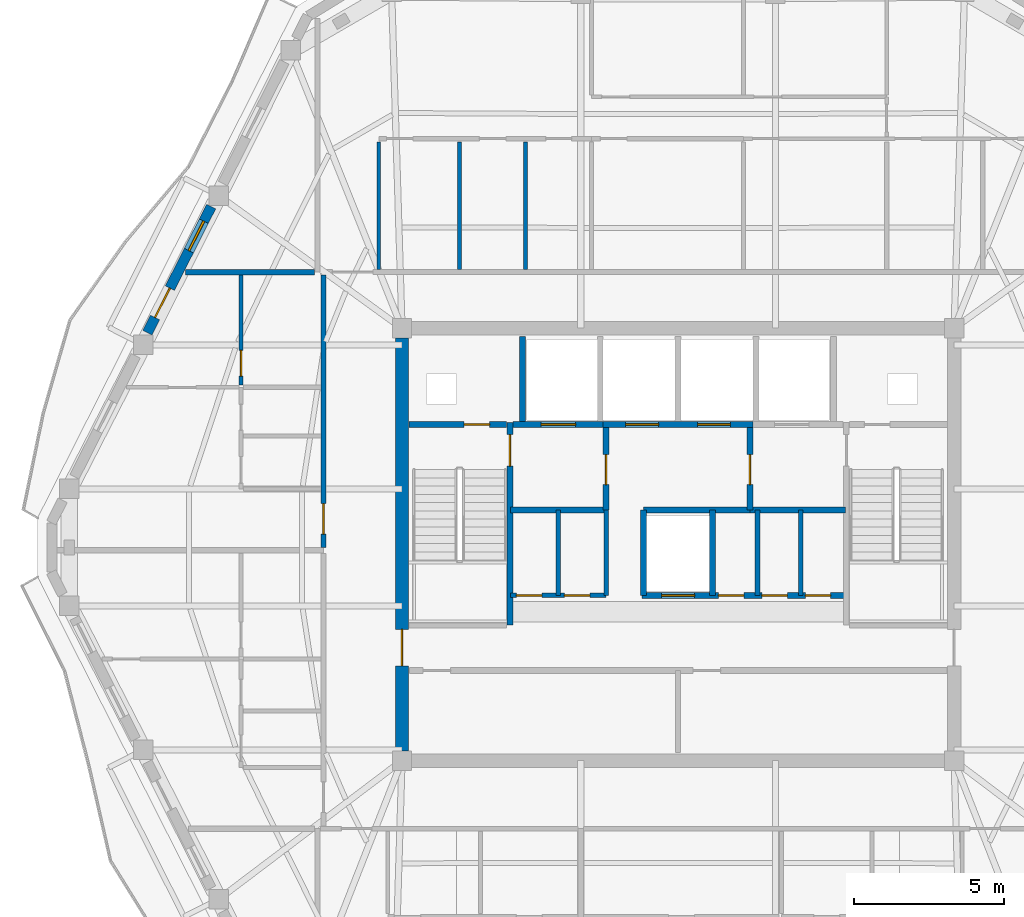
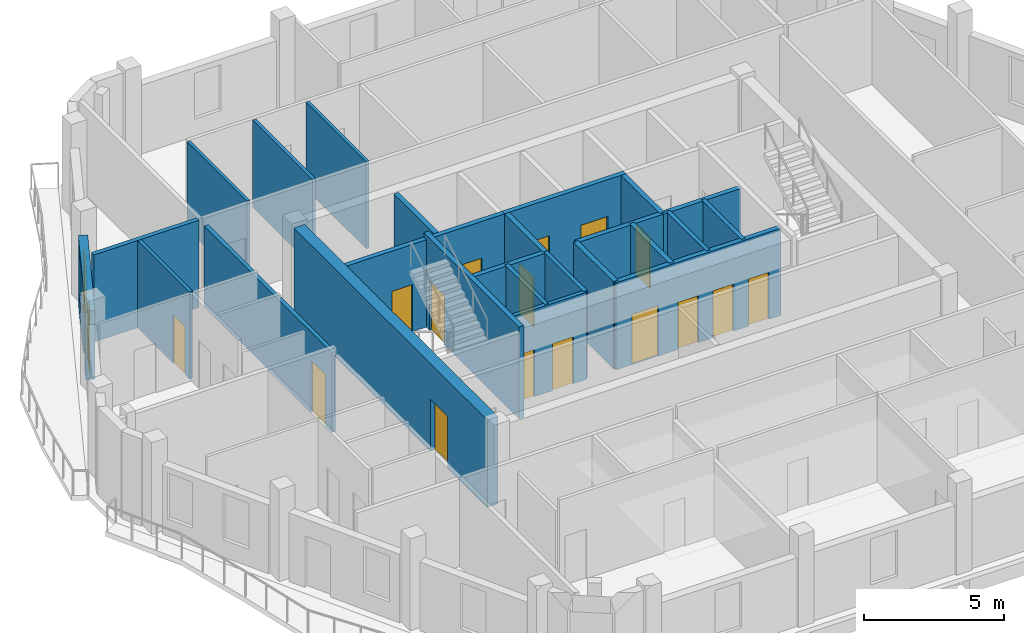
# One storey, part 5 of 11: 26 walls, 17 doors, 1 window, 18 openings.
"""IFC4 building model written with IfcOpenShell, lengths in metres."""

from ifc_helpers import new_model, si_unit, direction, frame, frame_2d, origin, place, context, subcontext, project, spatial, rectangle, extrude, material, layer, layer_set, type_object, element, fill, save


model = new_model("IFC4")

# Units and contexts
model_context = context("Model", 3, precision=1e-05, world=origin(), true_north=direction((0.0, 1.0)))
body_context = subcontext(model_context, "Body", "Model", "MODEL_VIEW")
ifc_project = project(units=[si_unit("LENGTHUNIT", "METRE"), si_unit("AREAUNIT", "SQUARE_METRE"), si_unit("VOLUMEUNIT", "CUBIC_METRE"), si_unit("PLANEANGLEUNIT", "RADIAN"), si_unit("MASSUNIT", "GRAM", prefix="KILO")], contexts=[model_context])

# Site, building, storey
site_placement = place(None, origin())
site = spatial("IfcSite", under=ifc_project, at=site_placement, CompositionType="ELEMENT")
building_placement = place(site_placement, origin())
building = spatial("IfcBuilding", under=site, at=building_placement, Name="Cinnabar Lancet Tower", CompositionType="ELEMENT")
storey_placement = place(building_placement, frame((0.0, 0.0, 283.5)))
storey = spatial("IfcBuildingStorey", under=building, at=storey_placement, Name="L75", CompositionType="ELEMENT", Elevation=283.5)

# Wall, openings, doors
ifc_material_1 = material(Name="Acoustic twin-stud gypsum partition", Category="gypsum")
ifc_layer_1 = layer(ifc_material_1, 0.159912109375)
ifc_layer_set_1 = layer_set([ifc_layer_1], Name="Acoustic twin-stud gypsum partition")
wall_type_1 = type_object("IfcWallType", Name="ARC-WL-CORR-160", PredefinedType="PARTITIONING", material=ifc_layer_set_1)
wall_1_placement = place(storey_placement, frame((26.800048828125, 24.199951171875, 0.0), z_axis=(0.0, 0.0, 1.0), x_axis=(1.0, 0.0, 0.0)))
wall_1 = element("IfcWall", 1, at=wall_1_placement, inside=storey, type_object=wall_type_1, Name="CW-REC5S-L75", PredefinedType="PARTITIONING", context=body_context, shape_type="SweptSolid", body=[
    extrude(rectangle(XDim=3.199951171875, YDim=0.159912109375, at=frame_2d((1.60009765625, 0.0))), origin(), (0.0, 0.0, 1.0), 3.800048828125),
])
opening_1_placement = place(wall_1_placement, frame((0.199951171875, 0.0, 0.0)))
opening_1 = element("IfcOpeningElement", 2, at=opening_1_placement, cuts=wall_1, Name="Opening PD-02", PredefinedType="OPENING", context=body_context, shape_type="SweptSolid", body=[
    extrude(rectangle(XDim=0.85009765625, YDim=2.050048828125, at=frame_2d((0.425048828125, 1.02490234375))), frame((0.0, 0.08984375, 0.0), z_axis=(0.0, -1.0, 0.0), x_axis=(1.0, 0.0, 0.0)), (0.0, 0.0, 1.0), 0.179931640625),
])
opening_2_placement = place(wall_1_placement, frame((1.800048828125, 0.0, 0.0)))
opening_2 = element("IfcOpeningElement", 3, at=opening_2_placement, cuts=wall_1, Name="Opening PD-02", PredefinedType="OPENING", context=body_context, shape_type="SweptSolid", body=[
    extrude(rectangle(XDim=0.85009765625, YDim=2.050048828125, at=frame_2d((0.425048828125, 1.02490234375))), frame((0.0, 0.08984375, 0.0), z_axis=(0.0, -1.0, 0.0), x_axis=(1.0, 0.0, 0.0)), (0.0, 0.0, 1.0), 0.179931640625),
])
ifc_material_2 = material(Name="Fire-rated steel riser access door", Category="steel")
door_type_1 = type_object("IfcDoorType", Name="ARC-DR-RISER", OperationType="NOTDEFINED", PredefinedType="DOOR", material=ifc_material_2)
door_1_placement = place(opening_1_placement, origin())
door_1 = element("IfcDoor", 4, at=door_1_placement, inside=storey, type_object=door_type_1, Name="DR-L75-REC5A", OperationType="SINGLE_SWING_LEFT", OverallHeight=2.050048828125, OverallWidth=0.85009765625, PredefinedType="DOOR", context=body_context, shape_type="SweptSolid", body=[
    extrude(rectangle(XDim=0.85009765625, YDim=2.050048828125, at=frame_2d((0.425048828125, 1.02490234375))), frame((0.0, 0.02490234375, 0.0), z_axis=(0.0, -1.0, 0.0), x_axis=(1.0, 0.0, 0.0)), (0.0, 0.0, 1.0), 0.050048828125),
])
fill(opening_1, door_1)
door_2_placement = place(opening_2_placement, origin())
door_2 = element("IfcDoor", 5, at=door_2_placement, inside=storey, type_object=door_type_1, Name="DR-L75-REC5B", OperationType="SINGLE_SWING_RIGHT", OverallHeight=2.050048828125, OverallWidth=0.85009765625, PredefinedType="DOOR", context=body_context, shape_type="SweptSolid", body=[
    extrude(rectangle(XDim=0.85009765625, YDim=2.050048828125, at=frame_2d((0.425048828125, 1.02490234375))), frame((0.0, 0.02490234375, 0.0), z_axis=(0.0, -1.0, 0.0), x_axis=(1.0, 0.0, 0.0)), (0.0, 0.0, 1.0), 0.050048828125),
])
fill(opening_2, door_2)

# Walls
for number, where, z_axis, x_axis, name in (
    (6, (30.0, 24.199951171875, 0.0), (0.0, 0.0, 1.0), (0.0, 1.0, 0.0), "CW-REC5E-L75"),
    (7, (28.39990234375, 24.199951171875, 0.0), (0.0, 0.0, 1.0), (0.0, 1.0, 0.0), "CW-REC5D0-L75"),
    (8, (35.050048828125, 24.199951171875, 0.0), (0.0, 0.0, 1.0), (0.0, 1.0, 0.0), "CW-REC6D1-L75"),
    (9, (36.5, 24.199951171875, 0.0), (0.0, 0.0, 1.0), (0.0, 1.0, 0.0), "CW-REC6D2-L75"),
):
    element("IfcWall", number, at=place(storey_placement, frame(where, z_axis=z_axis, x_axis=x_axis)), inside=storey, type_object=wall_type_1, Name=name, PredefinedType="PARTITIONING", context=body_context, shape_type="SweptSolid", body=[
        extrude(rectangle(XDim=2.85009765625, YDim=0.159912109375, at=frame_2d((1.425048828125, 0.0))), origin(), (0.0, 0.0, 1.0), 3.800048828125),
    ])

# Wall, opening, door
wall_2_placement = place(storey_placement, frame((20.550048828125, 25.794921875, 0.0), z_axis=(0.0, 0.0, 1.0), x_axis=(0.0, 1.0, 0.0)))
wall_2 = element("IfcWall", 10, at=wall_2_placement, inside=storey, type_object=wall_type_1, Name="UW-L75-W02-COR", PredefinedType="PARTITIONING", context=body_context, shape_type="SweptSolid", body=[
    extrude(rectangle(XDim=9.110107421875, YDim=0.159912109375, at=frame_2d((4.55517578125, 0.0))), origin(), (0.0, 0.0, 1.0), 3.487060546875),
])
opening_3_placement = place(wall_2_placement, frame((0.449951171875, 0.0, 0.0)))
opening_3 = element("IfcOpeningElement", 11, at=opening_3_placement, cuts=wall_2, Name="Opening UD-01", PredefinedType="OPENING", context=body_context, shape_type="SweptSolid", body=[
    extrude(rectangle(XDim=1.02001953125, YDim=2.25, at=frame_2d((0.510009765625, 1.125))), frame((0.0, 0.08984375, 0.0), z_axis=(0.0, -1.0, 0.0), x_axis=(1.0, 0.0, 0.0)), (0.0, 0.0, 1.0), 0.179931640625),
])
ifc_material_3 = material(Name="Solid timber fire-rated apartment entrance door", Category="wood")
door_type_2 = type_object("IfcDoorType", Name="ARC-DR-UNIT", OperationType="NOTDEFINED", PredefinedType="DOOR", material=ifc_material_3)
door_3_placement = place(opening_3_placement, origin())
door_3 = element("IfcDoor", 12, at=door_3_placement, inside=storey, type_object=door_type_2, Name="DR-L75-W02-ENT", OperationType="SINGLE_SWING_RIGHT", OverallHeight=2.25, OverallWidth=1.02001953125, PredefinedType="DOOR", context=body_context, shape_type="SweptSolid", body=[
    extrude(rectangle(XDim=1.02001953125, YDim=2.25, at=frame_2d((0.510009765625, 1.125))), frame((0.0, 0.02490234375, 0.0), z_axis=(0.0, -1.0, 0.0), x_axis=(1.0, 0.0, 0.0)), (0.0, 0.0, 1.0), 0.050048828125),
])
fill(opening_3, door_3)

# Wall
ifc_material_4 = material(Name="Fire-rated twin-frame acoustic drywall", Category="gypsum")
ifc_layer_2 = layer(ifc_material_4, 0.179931640625)
ifc_layer_set_2 = layer_set([ifc_layer_2], Name="Fire-rated twin-frame acoustic drywall")
wall_type_2 = type_object("IfcWallType", Name="ARC-WL-PARTY-180", PredefinedType="PARTITIONING", material=ifc_layer_set_2)
wall_3_placement = place(storey_placement, frame((15.93310546875, 35.0, 0.0), z_axis=(0.0, 0.0, 1.0), x_axis=(1.0, 0.0, 0.0)))
element("IfcWall", 13, at=wall_3_placement, inside=storey, type_object=wall_type_2, Name="PW-L75-WNB", PredefinedType="PARTITIONING", context=body_context, shape_type="SweptSolid", body=[
    extrude(rectangle(XDim=4.32177734375, YDim=0.179931640625, at=frame_2d((2.160888671875, 0.0))), origin(), (0.0, 0.0, 1.0), 3.800048828125),
])

# Wall, opening, door
ifc_material_5 = material(Name="Autoclaved aerated concrete blockwork", Category="masonry")
ifc_layer_3 = layer(ifc_material_5, 0.199951171875)
ifc_layer_set_3 = layer_set([ifc_layer_3], Name="Autoclaved aerated concrete blockwork")
wall_type_3 = type_object("IfcWallType", Name="ARC-WL-SHAFT-200", PredefinedType="PLUMBINGWALL", material=ifc_layer_set_3)
wall_4_placement = place(storey_placement, frame((23.405029296875, 29.89990234375, 0.0), z_axis=(0.0, 0.0, 1.0), x_axis=(1.0, 0.0, 0.0)))
wall_4 = element("IfcWall", 14, at=wall_4_placement, inside=storey, type_object=wall_type_3, Name="CW-NSH-W-L75", PredefinedType="PLUMBINGWALL", context=body_context, shape_type="SweptSolid", body=[
    extrude(rectangle(XDim=3.27001953125, YDim=0.199951171875, at=frame_2d((1.635009765625, 0.0))), origin(), (0.0, 0.0, 1.0), 3.800048828125),
])
opening_4_placement = place(wall_4_placement, frame((1.85009765625, 0.0, 0.0)))
opening_4 = element("IfcOpeningElement", 15, at=opening_4_placement, cuts=wall_4, Name="Opening PD-02", PredefinedType="OPENING", context=body_context, shape_type="SweptSolid", body=[
    extrude(rectangle(XDim=0.85009765625, YDim=2.050048828125, at=frame_2d((0.425048828125, 1.02490234375))), frame((0.0, 0.10986328125, 0.0), z_axis=(0.0, -1.0, 0.0), x_axis=(1.0, 0.0, 0.0)), (0.0, 0.0, 1.0), 0.219970703125),
])
door_4_placement = place(opening_4_placement, origin())
door_4 = element("IfcDoor", 16, at=door_4_placement, inside=storey, type_object=door_type_1, Name="L75 West Riser Access Door", OperationType="SINGLE_SWING_LEFT", OverallHeight=2.050048828125, OverallWidth=0.85009765625, PredefinedType="DOOR", context=body_context, shape_type="SweptSolid", body=[
    extrude(rectangle(XDim=0.85009765625, YDim=2.050048828125, at=frame_2d((0.425048828125, 1.02490234375))), frame((0.0, 0.02490234375, 0.0), z_axis=(0.0, -1.0, 0.0), x_axis=(1.0, 0.0, 0.0)), (0.0, 0.0, 1.0), 0.050048828125),
])
fill(opening_4, door_4)

wall_5_placement = place(storey_placement, frame((26.885009765625, 29.89990234375, 0.0), z_axis=(0.0, 0.0, 1.0), x_axis=(1.0, 0.0, 0.0)))
wall_5 = element("IfcWall", 17, at=wall_5_placement, inside=storey, type_object=wall_type_3, Name="CW-FL1-L75", PredefinedType="PLUMBINGWALL", context=body_context, shape_type="SweptSolid", body=[
    extrude(rectangle(XDim=3.014892578125, YDim=0.199951171875, at=frame_2d((1.50732421875, 0.0))), origin(), (0.0, 0.0, 1.0), 3.800048828125),
])
opening_5_placement = place(wall_5_placement, frame((0.93994140625, 0.0, 0.0)))
opening_5 = element("IfcOpeningElement", 18, at=opening_5_placement, cuts=wall_5, Name="Opening LD-02", PredefinedType="OPENING", context=body_context, shape_type="SweptSolid", body=[
    extrude(rectangle(XDim=1.14990234375, YDim=2.199951171875, at=frame_2d((0.574951171875, 1.10009765625))), frame((0.0, 0.10986328125, 0.0), z_axis=(0.0, -1.0, 0.0), x_axis=(1.0, 0.0, 0.0)), (0.0, 0.0, 1.0), 0.219970703125),
])
ifc_material_6 = material(Name="Fire-rated stainless steel firefighting lift landing door", Category="steel")
door_type_3 = type_object("IfcDoorType", Name="ARC-DR-LD-FIRE", OperationType="NOTDEFINED", PredefinedType="DOOR", material=ifc_material_6)
door_5_placement = place(opening_5_placement, origin())
door_5 = element("IfcDoor", 19, at=door_5_placement, inside=storey, type_object=door_type_3, Name="L75 Firefighting Lift FL-1 Landing Door", OperationType="DOUBLE_DOOR_SLIDING", OverallHeight=2.199951171875, OverallWidth=1.14990234375, PredefinedType="DOOR", context=body_context, shape_type="SweptSolid", body=[
    extrude(rectangle(XDim=1.14990234375, YDim=2.199951171875, at=frame_2d((0.574951171875, 1.10009765625))), frame((0.0, 0.02490234375, 0.0), z_axis=(0.0, -1.0, 0.0), x_axis=(1.0, 0.0, 0.0)), (0.0, 0.0, 1.0), 0.050048828125),
])
fill(opening_5, door_5)

# Wall, openings, doors
wall_6_placement = place(storey_placement, frame((29.89990234375, 29.89990234375, 0.0), z_axis=(0.0, 0.0, 1.0), x_axis=(1.0, 0.0, 0.0)))
wall_6 = element("IfcWall", 20, at=wall_6_placement, inside=storey, type_object=wall_type_3, Name="CW-PL78-L75", PredefinedType="PLUMBINGWALL", context=body_context, shape_type="SweptSolid", body=[
    extrude(rectangle(XDim=5.0, YDim=0.199951171875, at=frame_2d((2.5, 0.0))), origin(), (0.0, 0.0, 1.0), 3.800048828125),
])
opening_6_placement = place(wall_6_placement, frame((0.75, 0.0, 0.0)))
opening_6 = element("IfcOpeningElement", 21, at=opening_6_placement, cuts=wall_6, Name="Opening LD-01", PredefinedType="OPENING", context=body_context, shape_type="SweptSolid", body=[
    extrude(rectangle(XDim=1.10009765625, YDim=2.199951171875, at=frame_2d((0.550048828125, 1.10009765625))), frame((0.0, 0.10986328125, 0.0), z_axis=(0.0, -1.0, 0.0), x_axis=(1.0, 0.0, 0.0)), (0.0, 0.0, 1.0), 0.219970703125),
])
opening_7_placement = place(wall_6_placement, frame((3.14990234375, 0.0, 0.0)))
opening_7 = element("IfcOpeningElement", 22, at=opening_7_placement, cuts=wall_6, Name="Opening LD-01", PredefinedType="OPENING", context=body_context, shape_type="SweptSolid", body=[
    extrude(rectangle(XDim=1.10009765625, YDim=2.199951171875, at=frame_2d((0.550048828125, 1.10009765625))), frame((0.0, 0.10986328125, 0.0), z_axis=(0.0, -1.0, 0.0), x_axis=(1.0, 0.0, 0.0)), (0.0, 0.0, 1.0), 0.219970703125),
])
ifc_material_7 = material(Name="Brushed stainless steel sliding lift door", Category="steel")
door_type_4 = type_object("IfcDoorType", Name="ARC-DR-LD-PASS", OperationType="NOTDEFINED", PredefinedType="DOOR", material=ifc_material_7)
door_6_placement = place(opening_6_placement, origin())
door_6 = element("IfcDoor", 23, at=door_6_placement, inside=storey, type_object=door_type_4, Name="L75 Lift PL-7 Landing Door", OperationType="DOUBLE_DOOR_SLIDING", OverallHeight=2.199951171875, OverallWidth=1.10009765625, PredefinedType="DOOR", context=body_context, shape_type="SweptSolid", body=[
    extrude(rectangle(XDim=1.10009765625, YDim=2.199951171875, at=frame_2d((0.550048828125, 1.10009765625))), frame((0.0, 0.02490234375, 0.0), z_axis=(0.0, -1.0, 0.0), x_axis=(1.0, 0.0, 0.0)), (0.0, 0.0, 1.0), 0.050048828125),
])
fill(opening_6, door_6)
door_7_placement = place(opening_7_placement, origin())
door_7 = element("IfcDoor", 24, at=door_7_placement, inside=storey, type_object=door_type_4, Name="L75 Lift PL-8 Landing Door", OperationType="DOUBLE_DOOR_SLIDING", OverallHeight=2.199951171875, OverallWidth=1.10009765625, PredefinedType="DOOR", context=body_context, shape_type="SweptSolid", body=[
    extrude(rectangle(XDim=1.10009765625, YDim=2.199951171875, at=frame_2d((0.550048828125, 1.10009765625))), frame((0.0, 0.02490234375, 0.0), z_axis=(0.0, -1.0, 0.0), x_axis=(1.0, 0.0, 0.0)), (0.0, 0.0, 1.0), 0.050048828125),
])
fill(opening_7, door_7)

# Wall
wall_7_placement = place(storey_placement, frame((27.199951171875, 30.0, 0.0), z_axis=(0.0, 0.0, 1.0), x_axis=(0.0, 1.0, 0.0)))
element("IfcWall", 25, at=wall_7_placement, inside=storey, type_object=wall_type_3, Name="CW-NSH-D1-L75", PredefinedType="PLUMBINGWALL", context=body_context, shape_type="SweptSolid", body=[
    extrude(rectangle(XDim=2.85009765625, YDim=0.199951171875, at=frame_2d((1.425048828125, 0.0))), origin(), (0.0, 0.0, 1.0), 3.800048828125),
])

# Wall, opening, door
wall_8_placement = place(storey_placement, frame((30.0, 27.050048828125, 0.0), z_axis=(0.0, 0.0, 1.0), x_axis=(0.0, 1.0, 0.0)))
wall_8 = element("IfcWall", 26, at=wall_8_placement, inside=storey, type_object=wall_type_3, Name="CW-FF1E-L75", PredefinedType="PLUMBINGWALL", context=body_context, shape_type="SweptSolid", body=[
    extrude(rectangle(XDim=2.75, YDim=0.199951171875, at=frame_2d((1.375, 0.0))), origin(), (0.0, 0.0, 1.0), 3.800048828125),
])
opening_8_placement = place(wall_8_placement, frame((0.85009765625, 0.0, 0.0)))
opening_8 = element("IfcOpeningElement", 27, at=opening_8_placement, cuts=wall_8, Name="Opening FD-01", PredefinedType="OPENING", context=body_context, shape_type="SweptSolid", body=[
    extrude(rectangle(XDim=1.0, YDim=2.14990234375, at=frame_2d((0.5, 1.074951171875))), frame((0.0, 0.10986328125, 0.0), z_axis=(0.0, -1.0, 0.0), x_axis=(1.0, 0.0, 0.0)), (0.0, 0.0, 1.0), 0.219970703125),
])
ifc_material_8 = material(Name="Fire-rated timber-core lobby door", Category="wood")
door_type_5 = type_object("IfcDoorType", Name="ARC-DR-FFAL", OperationType="NOTDEFINED", PredefinedType="DOOR", material=ifc_material_8)
door_8_placement = place(opening_8_placement, origin())
door_8 = element("IfcDoor", 28, at=door_8_placement, inside=storey, type_object=door_type_5, Name="L75 FFAL-1 Lobby Fire Door", OperationType="SINGLE_SWING_RIGHT", OverallHeight=2.14990234375, OverallWidth=1.0, PredefinedType="DOOR", context=body_context, shape_type="SweptSolid", body=[
    extrude(rectangle(XDim=1.0, YDim=2.14990234375, at=frame_2d((0.5, 1.074951171875))), frame((0.0, 0.02490234375, 0.0), z_axis=(0.0, -1.0, 0.0), x_axis=(1.0, 0.0, 0.0)), (0.0, 0.0, 1.0), 0.050048828125),
])
fill(opening_8, door_8)

# Wall
wall_9_placement = place(storey_placement, frame((26.800048828125, 27.050048828125, 0.0), z_axis=(0.0, 0.0, 1.0), x_axis=(1.0, 0.0, 0.0)))
element("IfcWall", 29, at=wall_9_placement, inside=storey, type_object=wall_type_3, Name="CW-FF1S-L75", PredefinedType="PLUMBINGWALL", context=body_context, shape_type="SweptSolid", body=[
    extrude(rectangle(XDim=3.199951171875, YDim=0.199951171875, at=frame_2d((1.60009765625, 0.0))), origin(), (0.0, 0.0, 1.0), 3.800048828125),
])

# Wall, opening, door
wall_10_placement = place(storey_placement, frame((34.800048828125, 27.050048828125, 0.0), z_axis=(0.0, 0.0, 1.0), x_axis=(0.0, 1.0, 0.0)))
wall_10 = element("IfcWall", 30, at=wall_10_placement, inside=storey, type_object=wall_type_3, Name="CW-FF2W-L75", PredefinedType="PLUMBINGWALL", context=body_context, shape_type="SweptSolid", body=[
    extrude(rectangle(XDim=2.75, YDim=0.199951171875, at=frame_2d((1.375, 0.0))), origin(), (0.0, 0.0, 1.0), 3.800048828125),
])
opening_9_placement = place(wall_10_placement, frame((0.85009765625, 0.0, 0.0)))
opening_9 = element("IfcOpeningElement", 31, at=opening_9_placement, cuts=wall_10, Name="Opening FD-01", PredefinedType="OPENING", context=body_context, shape_type="SweptSolid", body=[
    extrude(rectangle(XDim=1.0, YDim=2.14990234375, at=frame_2d((0.5, 1.074951171875))), frame((0.0, 0.10986328125, 0.0), z_axis=(0.0, -1.0, 0.0), x_axis=(1.0, 0.0, 0.0)), (0.0, 0.0, 1.0), 0.219970703125),
])
door_9_placement = place(opening_9_placement, origin())
door_9 = element("IfcDoor", 32, at=door_9_placement, inside=storey, type_object=door_type_5, Name="L75 FFAL-2 Lobby Fire Door", OperationType="SINGLE_SWING_LEFT", OverallHeight=2.14990234375, OverallWidth=1.0, PredefinedType="DOOR", context=body_context, shape_type="SweptSolid", body=[
    extrude(rectangle(XDim=1.0, YDim=2.14990234375, at=frame_2d((0.5, 1.074951171875))), frame((0.0, 0.02490234375, 0.0), z_axis=(0.0, -1.0, 0.0), x_axis=(1.0, 0.0, 0.0)), (0.0, 0.0, 1.0), 0.050048828125),
])
fill(opening_9, door_9)

# Wall
wall_11_placement = place(storey_placement, frame((34.800048828125, 27.050048828125, 0.0), z_axis=(0.0, 0.0, 1.0), x_axis=(1.0, 0.0, 0.0)))
element("IfcWall", 33, at=wall_11_placement, inside=storey, type_object=wall_type_3, Name="CW-FF2S-L75", PredefinedType="PLUMBINGWALL", context=body_context, shape_type="SweptSolid", body=[
    extrude(rectangle(XDim=3.199951171875, YDim=0.199951171875, at=frame_2d((1.60009765625, 0.0))), origin(), (0.0, 0.0, 1.0), 3.800048828125),
])

# Wall, openings, doors
wall_12_placement = place(storey_placement, frame((31.199951171875, 24.199951171875, 0.0), z_axis=(0.0, 0.0, 1.0), x_axis=(1.0, 0.0, 0.0)))
wall_12 = element("IfcWall", 34, at=wall_12_placement, inside=storey, type_object=wall_type_3, Name="CW-PL96S-L75", PredefinedType="PLUMBINGWALL", context=body_context, shape_type="SweptSolid", body=[
    extrude(rectangle(XDim=6.800048828125, YDim=0.199951171875, at=frame_2d((3.39990234375, 0.0))), origin(), (0.0, 0.0, 1.0), 3.800048828125),
])
opening_10_placement = place(wall_12_placement, frame((0.64990234375, 0.0, 0.0)))
opening_10 = element("IfcOpeningElement", 35, at=opening_10_placement, cuts=wall_12, Name="Opening LD-01", PredefinedType="OPENING", context=body_context, shape_type="SweptSolid", body=[
    extrude(rectangle(XDim=1.10009765625, YDim=2.199951171875, at=frame_2d((0.550048828125, 1.10009765625))), frame((0.0, 0.10986328125, 0.0), z_axis=(0.0, -1.0, 0.0), x_axis=(1.0, 0.0, 0.0)), (0.0, 0.0, 1.0), 0.219970703125),
])
opening_11_placement = place(wall_12_placement, frame((2.550048828125, 0.0, 0.0)))
opening_11 = element("IfcOpeningElement", 36, at=opening_11_placement, cuts=wall_12, Name="Opening PD-02", PredefinedType="OPENING", context=body_context, shape_type="SweptSolid", body=[
    extrude(rectangle(XDim=0.85009765625, YDim=2.050048828125, at=frame_2d((0.425048828125, 1.02490234375))), frame((0.0, 0.10986328125, 0.0), z_axis=(0.0, -1.0, 0.0), x_axis=(1.0, 0.0, 0.0)), (0.0, 0.0, 1.0), 0.219970703125),
])
opening_12_placement = place(wall_12_placement, frame((4.0, 0.0, 0.0)))
opening_12 = element("IfcOpeningElement", 37, at=opening_12_placement, cuts=wall_12, Name="Opening PD-02", PredefinedType="OPENING", context=body_context, shape_type="SweptSolid", body=[
    extrude(rectangle(XDim=0.85009765625, YDim=2.050048828125, at=frame_2d((0.425048828125, 1.02490234375))), frame((0.0, 0.10986328125, 0.0), z_axis=(0.0, -1.0, 0.0), x_axis=(1.0, 0.0, 0.0)), (0.0, 0.0, 1.0), 0.219970703125),
])
opening_13_placement = place(wall_12_placement, frame((5.449951171875, 0.0, 0.0)))
opening_13 = element("IfcOpeningElement", 38, at=opening_13_placement, cuts=wall_12, Name="Opening PD-02", PredefinedType="OPENING", context=body_context, shape_type="SweptSolid", body=[
    extrude(rectangle(XDim=0.85009765625, YDim=2.050048828125, at=frame_2d((0.425048828125, 1.02490234375))), frame((0.0, 0.10986328125, 0.0), z_axis=(0.0, -1.0, 0.0), x_axis=(1.0, 0.0, 0.0)), (0.0, 0.0, 1.0), 0.219970703125),
])
door_10_placement = place(opening_10_placement, origin())
door_10 = element("IfcDoor", 39, at=door_10_placement, inside=storey, type_object=door_type_4, Name="L75 Lift PL-9 Landing Door", OperationType="DOUBLE_DOOR_SLIDING", OverallHeight=2.199951171875, OverallWidth=1.10009765625, PredefinedType="DOOR", context=body_context, shape_type="SweptSolid", body=[
    extrude(rectangle(XDim=1.10009765625, YDim=2.199951171875, at=frame_2d((0.550048828125, 1.10009765625))), frame((0.0, 0.02490234375, 0.0), z_axis=(0.0, -1.0, 0.0), x_axis=(1.0, 0.0, 0.0)), (0.0, 0.0, 1.0), 0.050048828125),
])
fill(opening_10, door_10)
door_11_placement = place(opening_11_placement, origin())
door_11 = element("IfcDoor", 40, at=door_11_placement, inside=storey, type_object=door_type_1, Name="DR-L75-REC6A", OperationType="SINGLE_SWING_LEFT", OverallHeight=2.050048828125, OverallWidth=0.85009765625, PredefinedType="DOOR", context=body_context, shape_type="SweptSolid", body=[
    extrude(rectangle(XDim=0.85009765625, YDim=2.050048828125, at=frame_2d((0.425048828125, 1.02490234375))), frame((0.0, 0.02490234375, 0.0), z_axis=(0.0, -1.0, 0.0), x_axis=(1.0, 0.0, 0.0)), (0.0, 0.0, 1.0), 0.050048828125),
])
fill(opening_11, door_11)
door_12_placement = place(opening_12_placement, origin())
door_12 = element("IfcDoor", 41, at=door_12_placement, inside=storey, type_object=door_type_1, Name="DR-L75-REC6B", OperationType="SINGLE_SWING_RIGHT", OverallHeight=2.050048828125, OverallWidth=0.85009765625, PredefinedType="DOOR", context=body_context, shape_type="SweptSolid", body=[
    extrude(rectangle(XDim=0.85009765625, YDim=2.050048828125, at=frame_2d((0.425048828125, 1.02490234375))), frame((0.0, 0.02490234375, 0.0), z_axis=(0.0, -1.0, 0.0), x_axis=(1.0, 0.0, 0.0)), (0.0, 0.0, 1.0), 0.050048828125),
])
fill(opening_12, door_12)
door_13_placement = place(opening_13_placement, origin())
door_13 = element("IfcDoor", 42, at=door_13_placement, inside=storey, type_object=door_type_1, Name="DR-L75-REC6C", OperationType="SINGLE_SWING_LEFT", OverallHeight=2.050048828125, OverallWidth=0.85009765625, PredefinedType="DOOR", context=body_context, shape_type="SweptSolid", body=[
    extrude(rectangle(XDim=0.85009765625, YDim=2.050048828125, at=frame_2d((0.425048828125, 1.02490234375))), frame((0.0, 0.02490234375, 0.0), z_axis=(0.0, -1.0, 0.0), x_axis=(1.0, 0.0, 0.0)), (0.0, 0.0, 1.0), 0.050048828125),
])
fill(opening_13, door_13)

# Walls
for number, where, z_axis, x_axis, name in (
    (43, (31.25, 24.199951171875, 0.0), (0.0, 0.0, 1.0), (0.0, 1.0, 0.0), "CW-PL9W-L75"),
    (44, (33.550048828125, 24.199951171875, 0.0), (0.0, 0.0, 1.0), (0.0, 1.0, 0.0), "CW-PL9E-L75"),
):
    element("IfcWall", number, at=place(storey_placement, frame(where, z_axis=z_axis, x_axis=x_axis)), inside=storey, type_object=wall_type_3, Name=name, PredefinedType="PLUMBINGWALL", context=body_context, shape_type="SweptSolid", body=[
        extrude(rectangle(XDim=2.85009765625, YDim=0.199951171875, at=frame_2d((1.425048828125, 0.0))), origin(), (0.0, 0.0, 1.0), 3.800048828125),
    ])
wall_13_placement = place(storey_placement, frame((31.25, 27.050048828125, 0.0), z_axis=(0.0, 0.0, 1.0), x_axis=(1.0, 0.0, 0.0)))
element("IfcWall", 45, at=wall_13_placement, inside=storey, type_object=wall_type_3, Name="CW-PL96N-L75", PredefinedType="PLUMBINGWALL", context=body_context, shape_type="SweptSolid", body=[
    extrude(rectangle(XDim=3.550048828125, YDim=0.199951171875, at=frame_2d((1.77490234375, 0.0))), origin(), (0.0, 0.0, 1.0), 3.800048828125),
])
ifc_material_9 = material(Name="Gypsum plasterboard stud partition", Category="gypsum")
ifc_layer_4 = layer(ifc_material_9, 0.125)
ifc_layer_set_4 = layer_set([ifc_layer_4], Name="Gypsum plasterboard stud partition")
wall_type_4 = type_object("IfcWallType", Name="ARC-WL-UNIT-125", PredefinedType="PARTITIONING", material=ifc_layer_set_4)
for number, where, z_axis, x_axis, name in (
    (46, (22.39990234375, 35.0849609375, 0.0), (0.0, 0.0, 1.0), (0.0, 1.0, 0.0), "UW-L75-N01-FOYE"),
    (47, (27.304931640625, 35.0849609375, 0.0), (0.0, 0.0, 1.0), (0.0, 1.0, 0.0), "UW-L75-N01-STD"),
):
    element("IfcWall", number, at=place(storey_placement, frame(where, z_axis=z_axis, x_axis=x_axis)), inside=storey, type_object=wall_type_4, Name=name, PredefinedType="PARTITIONING", context=body_context, shape_type="SweptSolid", body=[
        extrude(rectangle(XDim=4.26806640625, YDim=0.125, at=frame_2d((2.134033203125, 0.0))), origin(), (0.0, 0.0, 1.0), 3.800048828125),
    ])
ifc_material_10 = material(Name="Moisture-resistant cement-board plumbing wall", Category="masonry")
ifc_layer_5 = layer(ifc_material_10, 0.139892578125)
ifc_layer_set_5 = layer_set([ifc_layer_5], Name="Moisture-resistant cement-board plumbing wall")
wall_type_5 = type_object("IfcWallType", Name="ARC-WL-WET-140", PredefinedType="PLUMBINGWALL", material=ifc_layer_set_5)
wall_14_placement = place(storey_placement, frame((25.10107421875, 35.0849609375, 0.0), z_axis=(0.0, 0.0, 1.0), x_axis=(0.0, 1.0, 0.0)))
element("IfcWall", 48, at=wall_14_placement, inside=storey, type_object=wall_type_5, Name="UW-L75-N01-KDV", PredefinedType="PLUMBINGWALL", context=body_context, shape_type="SweptSolid", body=[
    extrude(rectangle(XDim=4.26806640625, YDim=0.139892578125, at=frame_2d((2.134033203125, 0.0))), origin(), (0.0, 0.0, 1.0), 3.800048828125),
])

# Wall, opening, door
wall_15_placement = place(storey_placement, frame((17.800048828125, 31.219970703125, 0.0), z_axis=(0.0, 0.0, 1.0), x_axis=(0.0, 1.0, 0.0)))
wall_15 = element("IfcWall", 49, at=wall_15_placement, inside=storey, type_object=wall_type_5, Name="UW-L75-W02-SPM", PredefinedType="PLUMBINGWALL", context=body_context, shape_type="SweptSolid", body=[
    extrude(rectangle(XDim=3.68505859375, YDim=0.139892578125, at=frame_2d((1.842529296875, 0.0))), origin(), (0.0, 0.0, 1.0), 3.800048828125),
])
opening_14_placement = place(wall_15_placement, frame((0.300048828125, 0.0, 0.0)))
opening_14 = element("IfcOpeningElement", 50, at=opening_14_placement, cuts=wall_15, Name="Opening BD-01", PredefinedType="OPENING", context=body_context, shape_type="SweptSolid", body=[
    extrude(rectangle(XDim=0.860107421875, YDim=2.10009765625, at=frame_2d((0.43017578125, 1.050048828125))), frame((0.0, 0.079833984375, 0.0), z_axis=(0.0, -1.0, 0.0), x_axis=(1.0, 0.0, 0.0)), (0.0, 0.0, 1.0), 0.159912109375),
])
ifc_material_11 = material(Name="Moisture-resistant timber bathroom door", Category="wood")
door_type_6 = type_object("IfcDoorType", Name="ARC-DR-BATH", OperationType="NOTDEFINED", PredefinedType="DOOR", material=ifc_material_11)
door_14_placement = place(opening_14_placement, origin())
door_14 = element("IfcDoor", 51, at=door_14_placement, inside=storey, type_object=door_type_6, Name="DR-L75-W02-ENS", OperationType="SINGLE_SWING_RIGHT", OverallHeight=2.10009765625, OverallWidth=0.860107421875, PredefinedType="DOOR", context=body_context, shape_type="SweptSolid", body=[
    extrude(rectangle(XDim=0.860107421875, YDim=2.10009765625, at=frame_2d((0.43017578125, 1.050048828125))), frame((0.0, 0.02490234375, 0.0), z_axis=(0.0, -1.0, 0.0), x_axis=(1.0, 0.0, 0.0)), (0.0, 0.0, 1.0), 0.050048828125),
])
fill(opening_14, door_14)

# Wall, openings, door, window
ifc_material_12 = material(Name="Cinnabar red clay brick", Category="masonry")
ifc_layer_6 = layer(ifc_material_12, 0.340087890625)
ifc_layer_set_6 = layer_set([ifc_layer_6], Name="Cinnabar red clay brick")
wall_type_6 = type_object("IfcWallType", Name="ENV-WL-BRK-RED-340", PredefinedType="STANDARD", material=ifc_layer_set_6)
wall_16_placement = place(storey_placement, frame((16.798095703125, 37.18701171875, 0.0), z_axis=(0.0, 0.0, 1.0), x_axis=(-0.451447516904, -0.892297674255, 0.0)))
wall_16 = element("IfcWall", 52, at=wall_16_placement, inside=storey, type_object=wall_type_6, Name="L75 Face 5 Masonry Bay Wall 3", PredefinedType="STANDARD", context=body_context, shape_type="SweptSolid", body=[
    extrude(rectangle(XDim=4.72265625, YDim=0.340087890625, at=frame_2d((2.361328125, 0.0))), origin(), (0.0, 0.0, 1.0), 2.989990234375),
])
opening_15_placement = place(wall_16_placement, frame((3.052978515625, 0.0, 0.0)))
opening_15 = element("IfcOpeningElement", 53, at=opening_15_placement, cuts=wall_16, Name="Opening TD-01", PredefinedType="OPENING", context=body_context, shape_type="SweptSolid", body=[
    extrude(rectangle(XDim=1.10009765625, YDim=2.25, at=frame_2d((0.550048828125, 1.125))), frame((0.0, 0.179931640625, 0.0), z_axis=(0.0, -1.0, 0.0), x_axis=(1.0, 0.0, 0.0)), (0.0, 0.0, 1.0), 0.360107421875),
])
opening_16_placement = place(wall_16_placement, frame((0.5458984375, 0.0, 0.75)))
opening_16 = element("IfcOpeningElement", 54, at=opening_16_placement, cuts=wall_16, Name="Opening WN-04", PredefinedType="OPENING", context=body_context, shape_type="SweptSolid", body=[
    extrude(rectangle(XDim=1.10009765625, YDim=2.0, at=frame_2d((0.550048828125, 1.0))), frame((0.0, 0.179931640625, 0.0), z_axis=(0.0, -1.0, 0.0), x_axis=(1.0, 0.0, 0.0)), (0.0, 0.0, 1.0), 0.360107421875),
])
ifc_material_13 = material(Name="Thermally broken low-E glazed balcony terrace door", Category="wood")
door_type_7 = type_object("IfcDoorType", Name="ARC-DR-BALC", OperationType="NOTDEFINED", PredefinedType="DOOR", material=ifc_material_13)
door_15_placement = place(opening_15_placement, origin())
door_15 = element("IfcDoor", 55, at=door_15_placement, inside=storey, type_object=door_type_7, Name="L75 Face 5 Glazed Terrace Door", OperationType="SINGLE_SWING_RIGHT", OverallHeight=2.25, OverallWidth=1.10009765625, PredefinedType="DOOR", context=body_context, shape_type="SweptSolid", body=[
    extrude(rectangle(XDim=1.10009765625, YDim=2.25, at=frame_2d((0.550048828125, 1.125))), frame((0.0, 0.02490234375, 0.0), z_axis=(0.0, -1.0, 0.0), x_axis=(1.0, 0.0, 0.0)), (0.0, 0.0, 1.0), 0.050048828125),
])
fill(opening_15, door_15)
ifc_material_14 = material(Name="Thermally broken bronze-anodized aluminium tall lancet window", Category="aluminium")
window_type = type_object("IfcWindowType", Name="ENV-WN-LANCET-1100", PartitioningType="SINGLE_PANEL", PredefinedType="WINDOW", material=ifc_material_14)
window_placement = place(opening_16_placement, origin())
window = element("IfcWindow", 56, at=window_placement, inside=storey, type_object=window_type, Name="L75 Split-Bay Gothic Lancet Window 280", OverallHeight=2.0, OverallWidth=1.10009765625, PartitioningType="SINGLE_PANEL", PredefinedType="WINDOW", context=body_context, shape_type="SweptSolid", body=[
    extrude(rectangle(XDim=1.10009765625, YDim=2.0, at=frame_2d((0.550048828125, 1.0))), frame((0.0, 0.030029296875, 0.0), z_axis=(0.0, -1.0, 0.0), x_axis=(1.0, 0.0, 0.0)), (0.0, 0.0, 1.0), 0.06005859375),
])
fill(opening_16, window)

# Wall, opening, door
ifc_material_15 = material(Name="Concrete C50/60", Category="concrete")
ifc_layer_7 = layer(ifc_material_15, 0.449951171875)
ifc_layer_set_7 = layer_set([ifc_layer_7], Name="Concrete C50/60")
wall_type_7 = type_object("IfcWallType", Name="STR-WL-CORE-450", PredefinedType="SHEAR", material=ifc_layer_set_7)
wall_17_placement = place(storey_placement, frame((23.175048828125, 19.0, 0.0), z_axis=(0.0, 0.0, 1.0), x_axis=(0.0, 1.0, 0.0)))
wall_17 = element("IfcWall", 57, at=wall_17_placement, inside=storey, type_object=wall_type_7, Name="L75 Core Shear Wall W", PredefinedType="SHEAR", context=body_context, shape_type="SweptSolid", body=[
    extrude(rectangle(XDim=13.800048828125, YDim=0.449951171875, at=frame_2d((6.89990234375, 0.0))), origin(), (0.0, 0.0, 1.0), 3.800048828125),
])
opening_17_placement = place(wall_17_placement, frame((2.840087890625, 0.0, 0.0)))
opening_17 = element("IfcOpeningElement", 58, at=opening_17_placement, cuts=wall_17, Name="Opening FD-02", PredefinedType="OPENING", context=body_context, shape_type="SweptSolid", body=[
    extrude(rectangle(XDim=1.219970703125, YDim=2.25, at=frame_2d((0.60986328125, 1.125))), frame((0.0, 0.23486328125, 0.0), z_axis=(0.0, -1.0, 0.0), x_axis=(1.0, 0.0, 0.0)), (0.0, 0.0, 1.0), 0.469970703125),
])
ifc_material_16 = material(Name="Fire-rated double-vision core portal door", Category="wood")
door_type_8 = type_object("IfcDoorType", Name="ARC-DR-CPORT", OperationType="NOTDEFINED", PredefinedType="DOOR", material=ifc_material_16)
door_16_placement = place(opening_17_placement, origin())
door_16 = element("IfcDoor", 59, at=door_16_placement, inside=storey, type_object=door_type_8, Name="L75 West Core Lobby Fire Door", OperationType="SINGLE_SWING_RIGHT", OverallHeight=2.25, OverallWidth=1.219970703125, PredefinedType="DOOR", context=body_context, shape_type="SweptSolid", body=[
    extrude(rectangle(XDim=1.219970703125, YDim=2.25, at=frame_2d((0.60986328125, 1.125))), frame((0.0, 0.02490234375, 0.0), z_axis=(0.0, -1.0, 0.0), x_axis=(1.0, 0.0, 0.0)), (0.0, 0.0, 1.0), 0.050048828125),
])
fill(opening_17, door_16)

ifc_material_17 = material(Name="Concrete C50/60", Category="concrete")
ifc_layer_8 = layer(ifc_material_17, 0.199951171875)
ifc_layer_set_8 = layer_set([ifc_layer_8], Name="Concrete C50/60")
wall_type_8 = type_object("IfcWallType", Name="STR-WL-STAIR-200", PredefinedType="SHEAR", material=ifc_layer_set_8)
wall_18_placement = place(storey_placement, frame((26.780029296875, 23.199951171875, 0.0), z_axis=(0.0, 0.0, 1.0), x_axis=(0.0, 1.0, 0.0)))
wall_18 = element("IfcWall", 60, at=wall_18_placement, inside=storey, type_object=wall_type_8, Name="L75 Stair ST-1 Structural Enclosure Wall", PredefinedType="SHEAR", context=body_context, shape_type="SweptSolid", body=[
    extrude(rectangle(XDim=6.780029296875, YDim=0.199951171875, at=frame_2d((3.39013671875, 0.0))), origin(), (0.0, 0.0, 1.0), 4.0),
])
opening_18_placement = place(wall_18_placement, frame((5.320068359375, 0.0, 0.0)))
opening_18 = element("IfcOpeningElement", 61, at=opening_18_placement, cuts=wall_18, Name="Opening SD-01", PredefinedType="OPENING", context=body_context, shape_type="SweptSolid", body=[
    extrude(rectangle(XDim=1.050048828125, YDim=2.14990234375, at=frame_2d((0.52490234375, 1.074951171875))), frame((0.0, 0.10986328125, 0.0), z_axis=(0.0, -1.0, 0.0), x_axis=(1.0, 0.0, 0.0)), (0.0, 0.0, 1.0), 0.219970703125),
])
ifc_material_18 = material(Name="Fire-rated steel stair exit door", Category="steel")
door_type_9 = type_object("IfcDoorType", Name="ARC-DR-STAIR", OperationType="NOTDEFINED", PredefinedType="DOOR", material=ifc_material_18)
door_17_placement = place(opening_18_placement, origin())
door_17 = element("IfcDoor", 62, at=door_17_placement, inside=storey, type_object=door_type_9, Name="L75 Stair ST-1 Fire Door", OperationType="SINGLE_SWING_LEFT", OverallHeight=2.14990234375, OverallWidth=1.050048828125, PredefinedType="DOOR", context=body_context, shape_type="SweptSolid", body=[
    extrude(rectangle(XDim=1.050048828125, YDim=2.14990234375, at=frame_2d((0.52490234375, 1.074951171875))), frame((0.0, 0.02490234375, 0.0), z_axis=(0.0, -1.0, 0.0), x_axis=(1.0, 0.0, 0.0)), (0.0, 0.0, 1.0), 0.050048828125),
])
fill(opening_18, door_17)

save(model, "model.ifc")
